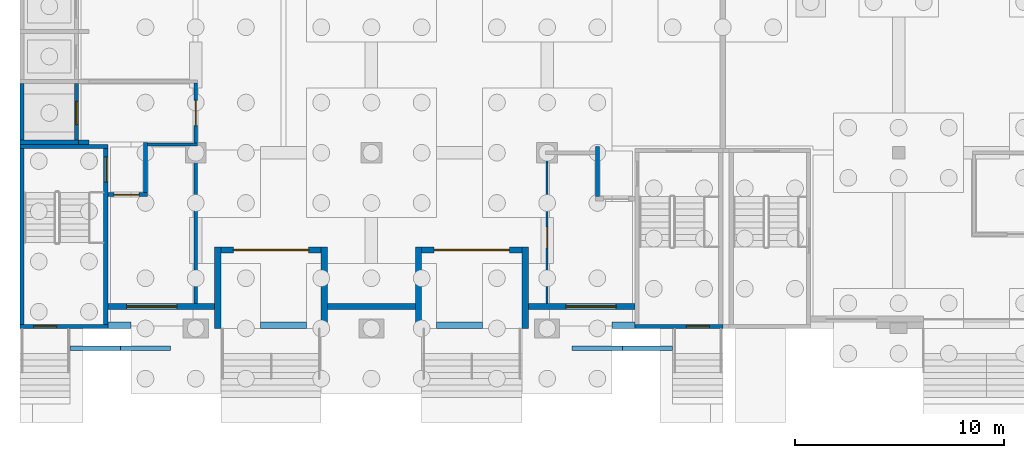
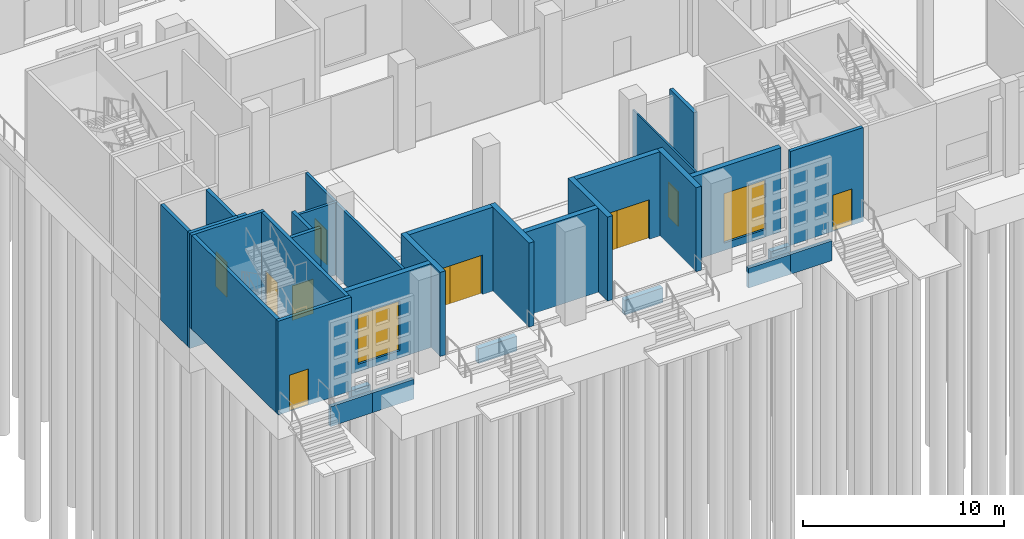
# One storey, part 42 of 129: 33 walls, 11 doors, 2 windows, 13 openings.
"""IFC4 building model written with IfcOpenShell, lengths in metres."""

from ifc_helpers import new_model, si_unit, direction, frame, frame_2d, origin, place, context, subcontext, project, spatial, rectangle, extrude, material, layer, layer_set, type_object, element, fill, save


model = new_model("IFC4")

# Units and contexts
model_context = context("Model", 3, precision=1e-05, world=origin(), true_north=direction((0.0, 1.0)))
body_context = subcontext(model_context, "Body", "Model", "MODEL_VIEW")
ifc_project = project(units=[si_unit("LENGTHUNIT", "METRE"), si_unit("AREAUNIT", "SQUARE_METRE"), si_unit("VOLUMEUNIT", "CUBIC_METRE"), si_unit("PLANEANGLEUNIT", "RADIAN"), si_unit("MASSUNIT", "GRAM", prefix="KILO")], contexts=[model_context])

# Site, building, storey
site_placement = place(None, origin())
site = spatial("IfcSite", under=ifc_project, at=site_placement, CompositionType="ELEMENT")
building_placement = place(site_placement, origin())
building = spatial("IfcBuilding", under=site, at=building_placement, Name="Kiln Court Media Centre", CompositionType="ELEMENT")
storey_placement = place(building_placement, origin())
storey = spatial("IfcBuildingStorey", under=building, at=storey_placement, Name="L00", CompositionType="ELEMENT", Elevation=0.0)

# Wall
ifc_material_1 = material(Name="Concrete block masonry M7.5", Category="masonry")
ifc_layer_1 = layer(ifc_material_1, 0.14990234375)
ifc_layer_set_1 = layer_set([ifc_layer_1], Name="Block lobby wall 150 EI 120")
wall_type_1 = type_object("IfcWallType", Name="Block lobby wall 150 EI 120", PredefinedType="SOLIDWALL", material=ifc_layer_set_1)
wall_1_placement = place(storey_placement, frame((6.10009765625, 8.800048828125, 0.0), z_axis=(0.0, 0.0, 1.0), x_axis=(1.0, 0.0, 0.0)))
element("IfcWall", 1, at=wall_1_placement, inside=storey, type_object=wall_type_1, Name="L00 block lobby wall", PredefinedType="SOLIDWALL", context=body_context, shape_type="SweptSolid", body=[
    extrude(rectangle(XDim=2.375, YDim=0.14990234375, at=frame_2d((1.1875, 0.0))), origin(), (0.0, 0.0, 1.0), 4.39990234375),
])

# Wall, opening, door
wall_2_placement = place(storey_placement, frame((8.39990234375, 8.875, 0.0), z_axis=(0.0, 0.0, 1.0), x_axis=(0.0, 1.0, 0.0)))
wall_2 = element("IfcWall", 2, at=wall_2_placement, inside=storey, type_object=wall_type_1, Name="L00 block lobby wall", PredefinedType="SOLIDWALL", context=body_context, shape_type="SweptSolid", body=[
    extrude(rectangle(XDim=2.85009765625, YDim=0.14990234375, at=frame_2d((1.425048828125, 0.0))), origin(), (0.0, 0.0, 1.0), 4.39990234375),
])
opening_1_placement = place(wall_2_placement, frame((0.824951171875, 0.0, 0.0)))
opening_1 = element("IfcOpeningElement", 3, at=opening_1_placement, cuts=wall_2, Name="Opening D0073", PredefinedType="OPENING", context=body_context, shape_type="SweptSolid", body=[
    extrude(rectangle(XDim=1.199951171875, YDim=2.10009765625, at=frame_2d((0.60009765625, 1.050048828125))), frame((0.0, 0.0849609375, 0.0), z_axis=(0.0, -1.0, 0.0), x_axis=(1.0, 0.0, 0.0)), (0.0, 0.0, 1.0), 0.169921875),
])
ifc_material_2 = material(Name="Steel S275", Category="steel")
door_type_1 = type_object("IfcDoorType", Name="Steel lobby door 1200 x 2100 FD120", OperationType="SINGLE_SWING_LEFT", PredefinedType="DOOR", material=ifc_material_2)
door_1_placement = place(opening_1_placement, origin())
door_1 = element("IfcDoor", 4, at=door_1_placement, inside=storey, type_object=door_type_1, Name="Library Reception / Fire-fighting Lift Lobby", OperationType="SINGLE_SWING_RIGHT", OverallHeight=2.10009765625, OverallWidth=1.199951171875, PredefinedType="DOOR", context=body_context, shape_type="SweptSolid", body=[
    extrude(rectangle(XDim=1.199951171875, YDim=2.10009765625, at=frame_2d((0.60009765625, 1.050048828125))), frame((0.0, 0.02490234375, 0.0), z_axis=(0.0, -1.0, 0.0), x_axis=(1.0, 0.0, 0.0)), (0.0, 0.0, 1.0), 0.050048828125),
])
fill(opening_1, door_1)

ifc_material_3 = material(Name="Concrete block masonry M10", Category="masonry")
ifc_layer_2 = layer(ifc_material_3, 0.199951171875)
ifc_layer_set_2 = layer_set([ifc_layer_2], Name="Block vestibule wall 200 EI 240")
wall_type_2 = type_object("IfcWallType", Name="Block vestibule wall 200 EI 240", PredefinedType="SOLIDWALL", material=ifc_layer_set_2)
wall_3_placement = place(storey_placement, frame((4.2001953125, 6.39990234375, 0.0), z_axis=(0.0, 0.0, 1.0), x_axis=(1.0, 0.0, 0.0)))
wall_3 = element("IfcWall", 5, at=wall_3_placement, inside=storey, type_object=wall_type_2, Name="L00 block vestibule wall", PredefinedType="SOLIDWALL", context=body_context, shape_type="SweptSolid", body=[
    extrude(rectangle(XDim=1.89990234375, YDim=0.199951171875, at=frame_2d((0.949951171875, 0.0))), origin(), (0.0, 0.0, 1.0), 5.10009765625),
])
opening_2_placement = place(wall_3_placement, frame((0.2998046875, 0.0, 0.0)))
opening_2 = element("IfcOpeningElement", 6, at=opening_2_placement, cuts=wall_3, Name="Opening D0046", PredefinedType="OPENING", context=body_context, shape_type="SweptSolid", body=[
    extrude(rectangle(XDim=1.199951171875, YDim=2.10009765625, at=frame_2d((0.60009765625, 1.050048828125))), frame((0.0, 0.10986328125, 0.0), z_axis=(0.0, -1.0, 0.0), x_axis=(1.0, 0.0, 0.0)), (0.0, 0.0, 1.0), 0.219970703125),
])
ifc_material_4 = material(Name="Steel S275", Category="steel")
door_type_2 = type_object("IfcDoorType", Name="Steel vestibule door 1200 x 2100 FD180", OperationType="SINGLE_SWING_LEFT", PredefinedType="DOOR", material=ifc_material_4)
door_2_placement = place(opening_2_placement, origin())
door_2 = element("IfcDoor", 7, at=door_2_placement, inside=storey, type_object=door_type_2, Name="Toilets and Accessible WC / Stair 1 Vestibule", OperationType="SINGLE_SWING_LEFT", OverallHeight=2.10009765625, OverallWidth=1.199951171875, PredefinedType="DOOR", context=body_context, shape_type="SweptSolid", body=[
    extrude(rectangle(XDim=1.199951171875, YDim=2.10009765625, at=frame_2d((0.60009765625, 1.050048828125))), frame((0.0, 0.02490234375, 0.0), z_axis=(0.0, -1.0, 0.0), x_axis=(1.0, 0.0, 0.0)), (0.0, 0.0, 1.0), 0.050048828125),
])
fill(opening_2, door_2)

# Walls
for number, where, z_axis, x_axis, name in (
    (8, (6.0, 6.5, 0.0), (0.0, 0.0, 1.0), (0.0, 1.0, 0.0), "L00 block vestibule wall"),
    (9, (27.60009765625, 6.300048828125, 0.0), (0.0, 0.0, 1.0), (0.0, 1.0, 0.0), "L00 block vestibule wall"),
):
    element("IfcWall", number, at=place(storey_placement, frame(where, z_axis=z_axis, x_axis=x_axis)), inside=storey, type_object=wall_type_2, Name=name, PredefinedType="SOLIDWALL", context=body_context, shape_type="SweptSolid", body=[
        extrude(rectangle(XDim=2.39990234375, YDim=0.199951171875, at=frame_2d((1.199951171875, 0.0))), origin(), (0.0, 0.0, 1.0), 4.60009765625),
    ])

# Wall, opening, window
ifc_material_5 = material(Name="Brick masonry facing leaf with RC backing", Category="masonry")
ifc_layer_3 = layer(ifc_material_5, 0.300048828125)
ifc_layer_set_3 = layer_set([ifc_layer_3], Name="Brick masonry cavity wall 300")
wall_type_3 = type_object("IfcWallType", Name="Brick masonry cavity wall 300", PredefinedType="SOLIDWALL", material=ifc_layer_set_3)
wall_4_placement = place(storey_placement, frame((9.300048828125, 1.050048828125, 0.0), z_axis=(0.0, 0.0, 1.0), x_axis=(-1.0, 0.0, 0.0)))
wall_4 = element("IfcWall", 10, at=wall_4_placement, inside=storey, type_object=wall_type_3, Name="V6A-S ground facade", PredefinedType="SOLIDWALL", context=body_context, shape_type="SweptSolid", body=[
    extrude(rectangle(XDim=5.10009765625, YDim=0.300048828125, at=frame_2d((2.550048828125, 0.0))), origin(), (0.0, 0.0, 1.0), 5.10009765625),
])
opening_3_placement = place(wall_4_placement, frame((1.800048828125, 0.0, 0.449951171875)))
opening_3 = element("IfcOpeningElement", 11, at=opening_3_placement, cuts=wall_4, Name="Opening WN0005", PredefinedType="OPENING", context=body_context, shape_type="SweptSolid", body=[
    extrude(rectangle(XDim=2.39990234375, YDim=3.0, at=frame_2d((1.199951171875, 1.5))), frame((0.0, 0.159912109375, 0.0), z_axis=(0.0, -1.0, 0.0), x_axis=(1.0, 0.0, 0.0)), (0.0, 0.0, 1.0), 0.320068359375),
])
ifc_material_6 = material(Name="Aluminium 6063-T6", Category="aluminium")
window_type = type_object("IfcWindowType", Name="Aluminium shopfront window 2400x3000", PartitioningType="TRIPLE_PANEL_VERTICAL", PredefinedType="WINDOW", material=ifc_material_6)
window_1_placement = place(opening_3_placement, origin())
window_1 = element("IfcWindow", 12, at=window_1_placement, inside=storey, type_object=window_type, Name="WF window WN0005", OverallHeight=3.0, OverallWidth=2.39990234375, PartitioningType="SINGLE_PANEL", PredefinedType="WINDOW", context=body_context, shape_type="SweptSolid", body=[
    extrude(rectangle(XDim=2.39990234375, YDim=3.0, at=frame_2d((1.199951171875, 1.5))), frame((0.0, 0.030029296875, 0.0), z_axis=(0.0, -1.0, 0.0), x_axis=(1.0, 0.0, 0.0)), (0.0, 0.0, 1.0), 0.06005859375),
])
fill(opening_3, window_1)

# Wall
wall_5_placement = place(storey_placement, frame((18.89990234375, 1.050048828125, 0.0), z_axis=(0.0, 0.0, 1.0), x_axis=(-1.0, 0.0, 0.0)))
element("IfcWall", 13, at=wall_5_placement, inside=storey, type_object=wall_type_3, Name="V6A-S ground facade", PredefinedType="SOLIDWALL", context=body_context, shape_type="SweptSolid", body=[
    extrude(rectangle(XDim=4.199951171875, YDim=0.300048828125, at=frame_2d((2.10009765625, 0.0))), origin(), (0.0, 0.0, 1.0), 5.10009765625),
])

# Wall, opening, window
wall_6_placement = place(storey_placement, frame((29.39990234375, 1.050048828125, 0.0), z_axis=(0.0, 0.0, 1.0), x_axis=(-1.0, 0.0, 0.0)))
wall_6 = element("IfcWall", 14, at=wall_6_placement, inside=storey, type_object=wall_type_3, Name="V6A-S ground facade", PredefinedType="SOLIDWALL", context=body_context, shape_type="SweptSolid", body=[
    extrude(rectangle(XDim=5.099853515625, YDim=0.300048828125, at=frame_2d((2.5498046875, 0.0))), origin(), (0.0, 0.0, 1.0), 5.10009765625),
])
opening_4_placement = place(wall_6_placement, frame((0.89990234375, 0.0, 0.449951171875)))
opening_4 = element("IfcOpeningElement", 15, at=opening_4_placement, cuts=wall_6, Name="Opening WN0006", PredefinedType="OPENING", context=body_context, shape_type="SweptSolid", body=[
    extrude(rectangle(XDim=2.39990234375, YDim=3.0, at=frame_2d((1.199951171875, 1.5))), frame((0.0, 0.159912109375, 0.0), z_axis=(0.0, -1.0, 0.0), x_axis=(1.0, 0.0, 0.0)), (0.0, 0.0, 1.0), 0.320068359375),
])
window_2_placement = place(opening_4_placement, origin())
window_2 = element("IfcWindow", 16, at=window_2_placement, inside=storey, type_object=window_type, Name="WF window WN0006", OverallHeight=3.0, OverallWidth=2.39990234375, PartitioningType="SINGLE_PANEL", PredefinedType="WINDOW", context=body_context, shape_type="SweptSolid", body=[
    extrude(rectangle(XDim=2.39990234375, YDim=3.0, at=frame_2d((1.199951171875, 1.5))), frame((0.0, 0.030029296875, 0.0), z_axis=(0.0, -1.0, 0.0), x_axis=(1.0, 0.0, 0.0)), (0.0, 0.0, 1.0), 0.06005859375),
])
fill(opening_4, window_2)

# Walls
ifc_material_7 = material(Name="Brick masonry facing leaf with RC backing", Category="masonry")
ifc_layer_4 = layer(ifc_material_7, 0.215087890625)
ifc_layer_set_4 = layer_set([ifc_layer_4], Name="Brick masonry screen plinth wall 215")
wall_type_4 = type_object("IfcWallType", Name="Brick masonry screen plinth wall 215", PredefinedType="SOLIDWALL", material=ifc_layer_set_4)
wall_7_placement = place(storey_placement, frame((2.39990234375, -0.9423828125, -1.199951171875), z_axis=(0.0, 0.0, 1.0), x_axis=(1.0, 0.0, 0.0)))
element("IfcWall", 17, at=wall_7_placement, inside=storey, type_object=wall_type_4, Name="SCREEN plinth wall SCR-S-02", PredefinedType="SOLIDWALL", context=body_context, shape_type="SweptSolid", body=[
    extrude(rectangle(XDim=2.400146484375, YDim=0.215087890625, at=frame_2d((1.2001953125, 0.0))), origin(), (0.0, 0.0, 1.0), 1.199951171875),
])
wall_8_placement = place(storey_placement, frame((4.800048828125, -0.9423828125, -1.199951171875), z_axis=(0.0, 0.0, 1.0), x_axis=(1.0, 0.0, 0.0)))
element("IfcWall", 18, at=wall_8_placement, inside=storey, type_object=wall_type_4, Name="SCREEN plinth wall SCR-S-03", PredefinedType="SOLIDWALL", context=body_context, shape_type="SweptSolid", body=[
    extrude(rectangle(XDim=2.39990234375, YDim=0.215087890625, at=frame_2d((1.199951171875, 0.0))), origin(), (0.0, 0.0, 1.0), 1.199951171875),
])
wall_9_placement = place(storey_placement, frame((26.39990234375, -0.9423828125, -1.199951171875), z_axis=(0.0, 0.0, 1.0), x_axis=(1.0, 0.0, 0.0)))
element("IfcWall", 19, at=wall_9_placement, inside=storey, type_object=wall_type_4, Name="SCREEN plinth wall SCR-S-12", PredefinedType="SOLIDWALL", context=body_context, shape_type="SweptSolid", body=[
    extrude(rectangle(XDim=2.400146484375, YDim=0.215087890625, at=frame_2d((1.2001953125, 0.0))), origin(), (0.0, 0.0, 1.0), 1.199951171875),
])
wall_10_placement = place(storey_placement, frame((28.800048828125, -0.9423828125, -1.199951171875), z_axis=(0.0, 0.0, 1.0), x_axis=(1.0, 0.0, 0.0)))
element("IfcWall", 20, at=wall_10_placement, inside=storey, type_object=wall_type_4, Name="SCREEN plinth wall SCR-S-13", PredefinedType="SOLIDWALL", context=body_context, shape_type="SweptSolid", body=[
    extrude(rectangle(XDim=2.39990234375, YDim=0.215087890625, at=frame_2d((1.199951171875, 0.0))), origin(), (0.0, 0.0, 1.0), 1.199951171875),
])
ifc_material_8 = material(Name="Brick masonry facing leaf with RC backing", Category="masonry")
ifc_layer_5 = layer(ifc_material_8, 0.300048828125)
ifc_layer_set_5 = layer_set([ifc_layer_5], Name="Brick masonry wing wall 300")
wall_type_5 = type_object("IfcWallType", Name="Brick masonry wing wall 300", PredefinedType="SOLIDWALL", material=ifc_layer_set_5)
for number, where, z_axis, x_axis, name in (
    (21, (9.449951171875, 3.89990234375, 0.0), (0.0, 0.0, 1.0), (0.0, -1.0, 0.0), "V6A-S porch side wall"),
    (22, (14.550048828125, 3.89990234375, 0.0), (0.0, 0.0, 1.0), (0.0, -1.0, 0.0), "V6A-S porch side wall"),
):
    element("IfcWall", number, at=place(storey_placement, frame(where, z_axis=z_axis, x_axis=x_axis)), inside=storey, type_object=wall_type_5, Name=name, PredefinedType="SOLIDWALL", context=body_context, shape_type="SweptSolid", body=[
        extrude(rectangle(XDim=3.89990234375, YDim=0.300048828125, at=frame_2d((1.949951171875, 0.0))), origin(), (0.0, 0.0, 1.0), 5.10009765625),
    ])

# Wall, openings, doors
wall_11_placement = place(storey_placement, frame((14.39990234375, 3.75, 0.0), z_axis=(0.0, 0.0, 1.0), x_axis=(-1.0, 0.0, 0.0)))
wall_11 = element("IfcWall", 23, at=wall_11_placement, inside=storey, type_object=wall_type_5, Name="V6A-S porch back wall", PredefinedType="SOLIDWALL", context=body_context, shape_type="SweptSolid", body=[
    extrude(rectangle(XDim=4.7998046875, YDim=0.300048828125, at=frame_2d((2.39990234375, 0.0))), origin(), (0.0, 0.0, 1.0), 5.10009765625),
])
opening_5_placement = place(wall_11_placement, frame((2.39990234375, 0.0, 0.0)))
opening_5 = element("IfcOpeningElement", 24, at=opening_5_placement, cuts=wall_11, Name="Opening D0602", PredefinedType="OPENING", context=body_context, shape_type="SweptSolid", body=[
    extrude(rectangle(XDim=1.800048828125, YDim=2.39990234375, at=frame_2d((0.89990234375, 1.199951171875))), frame((0.0, 0.159912109375, 0.0), z_axis=(0.0, -1.0, 0.0), x_axis=(1.0, 0.0, 0.0)), (0.0, 0.0, 1.0), 0.320068359375),
])
opening_6_placement = place(wall_11_placement, frame((0.60009765625, 0.0, 0.0)))
opening_6 = element("IfcOpeningElement", 25, at=opening_6_placement, cuts=wall_11, Name="Opening D0603", PredefinedType="OPENING", context=body_context, shape_type="SweptSolid", body=[
    extrude(rectangle(XDim=1.800048828125, YDim=2.39990234375, at=frame_2d((0.89990234375, 1.199951171875))), frame((0.0, 0.159912109375, 0.0), z_axis=(0.0, -1.0, 0.0), x_axis=(1.0, 0.0, 0.0)), (0.0, 0.0, 1.0), 0.320068359375),
])
ifc_material_9 = material(Name="Aluminium 6063-T6", Category="aluminium")
door_type_3 = type_object("IfcDoorType", Name="Aluminium glazed entrance door 1800x2400", OperationType="DOUBLE_DOOR_DOUBLE_SWING", PredefinedType="DOOR", material=ifc_material_9)
door_3_placement = place(opening_5_placement, origin())
door_3 = element("IfcDoor", 26, at=door_3_placement, inside=storey, type_object=door_type_3, Name="DA door D0602", OperationType="SINGLE_SWING_LEFT", OverallHeight=2.39990234375, OverallWidth=1.800048828125, PredefinedType="DOOR", context=body_context, shape_type="SweptSolid", body=[
    extrude(rectangle(XDim=1.800048828125, YDim=2.39990234375, at=frame_2d((0.89990234375, 1.199951171875))), frame((0.0, 0.02490234375, 0.0), z_axis=(0.0, -1.0, 0.0), x_axis=(1.0, 0.0, 0.0)), (0.0, 0.0, 1.0), 0.050048828125),
])
fill(opening_5, door_3)
door_4_placement = place(opening_6_placement, origin())
door_4 = element("IfcDoor", 27, at=door_4_placement, inside=storey, type_object=door_type_3, Name="DA door D0603", OperationType="SINGLE_SWING_LEFT", OverallHeight=2.39990234375, OverallWidth=1.800048828125, PredefinedType="DOOR", context=body_context, shape_type="SweptSolid", body=[
    extrude(rectangle(XDim=1.800048828125, YDim=2.39990234375, at=frame_2d((0.89990234375, 1.199951171875))), frame((0.0, 0.02490234375, 0.0), z_axis=(0.0, -1.0, 0.0), x_axis=(1.0, 0.0, 0.0)), (0.0, 0.0, 1.0), 0.050048828125),
])
fill(opening_6, door_4)

# Walls
for number, where, z_axis, x_axis, name in (
    (28, (19.050048828125, 3.89990234375, 0.0), (0.0, 0.0, 1.0), (0.0, -1.0, 0.0), "V6A-S porch side wall"),
    (29, (24.14990234375, 3.89990234375, 0.0), (0.0, 0.0, 1.0), (0.0, -1.0, 0.0), "V6A-S porch side wall"),
):
    element("IfcWall", number, at=place(storey_placement, frame(where, z_axis=z_axis, x_axis=x_axis)), inside=storey, type_object=wall_type_5, Name=name, PredefinedType="SOLIDWALL", context=body_context, shape_type="SweptSolid", body=[
        extrude(rectangle(XDim=3.89990234375, YDim=0.300048828125, at=frame_2d((1.949951171875, 0.0))), origin(), (0.0, 0.0, 1.0), 5.10009765625),
    ])

# Wall, openings, doors
wall_12_placement = place(storey_placement, frame((24.0, 3.75, 0.0), z_axis=(0.0, 0.0, 1.0), x_axis=(-1.0, 0.0, 0.0)))
wall_12 = element("IfcWall", 30, at=wall_12_placement, inside=storey, type_object=wall_type_5, Name="V6A-S porch back wall", PredefinedType="SOLIDWALL", context=body_context, shape_type="SweptSolid", body=[
    extrude(rectangle(XDim=4.800048828125, YDim=0.300048828125, at=frame_2d((2.39990234375, 0.0))), origin(), (0.0, 0.0, 1.0), 5.10009765625),
])
opening_7_placement = place(wall_12_placement, frame((2.39990234375, 0.0, 0.0)))
opening_7 = element("IfcOpeningElement", 31, at=opening_7_placement, cuts=wall_12, Name="Opening D0604", PredefinedType="OPENING", context=body_context, shape_type="SweptSolid", body=[
    extrude(rectangle(XDim=1.800048828125, YDim=2.39990234375, at=frame_2d((0.89990234375, 1.199951171875))), frame((0.0, 0.159912109375, 0.0), z_axis=(0.0, -1.0, 0.0), x_axis=(1.0, 0.0, 0.0)), (0.0, 0.0, 1.0), 0.320068359375),
])
opening_8_placement = place(wall_12_placement, frame((0.60009765625, 0.0, 0.0)))
opening_8 = element("IfcOpeningElement", 32, at=opening_8_placement, cuts=wall_12, Name="Opening D0605", PredefinedType="OPENING", context=body_context, shape_type="SweptSolid", body=[
    extrude(rectangle(XDim=1.800048828125, YDim=2.39990234375, at=frame_2d((0.89990234375, 1.199951171875))), frame((0.0, 0.159912109375, 0.0), z_axis=(0.0, -1.0, 0.0), x_axis=(1.0, 0.0, 0.0)), (0.0, 0.0, 1.0), 0.320068359375),
])
door_5_placement = place(opening_7_placement, origin())
door_5 = element("IfcDoor", 33, at=door_5_placement, inside=storey, type_object=door_type_3, Name="DA door D0604", OperationType="SINGLE_SWING_LEFT", OverallHeight=2.39990234375, OverallWidth=1.800048828125, PredefinedType="DOOR", context=body_context, shape_type="SweptSolid", body=[
    extrude(rectangle(XDim=1.800048828125, YDim=2.39990234375, at=frame_2d((0.89990234375, 1.199951171875))), frame((0.0, 0.02490234375, 0.0), z_axis=(0.0, -1.0, 0.0), x_axis=(1.0, 0.0, 0.0)), (0.0, 0.0, 1.0), 0.050048828125),
])
fill(opening_7, door_5)
door_6_placement = place(opening_8_placement, origin())
door_6 = element("IfcDoor", 34, at=door_6_placement, inside=storey, type_object=door_type_3, Name="DA door D0605", OperationType="SINGLE_SWING_LEFT", OverallHeight=2.39990234375, OverallWidth=1.800048828125, PredefinedType="DOOR", context=body_context, shape_type="SweptSolid", body=[
    extrude(rectangle(XDim=1.800048828125, YDim=2.39990234375, at=frame_2d((0.89990234375, 1.199951171875))), frame((0.0, 0.02490234375, 0.0), z_axis=(0.0, -1.0, 0.0), x_axis=(1.0, 0.0, 0.0)), (0.0, 0.0, 1.0), 0.050048828125),
])
fill(opening_8, door_6)

# Walls
ifc_material_10 = material(Name="Concrete C30/37", Category="concrete")
ifc_layer_6 = layer(ifc_material_10, 0.300048828125)
ifc_layer_set_6 = layer_set([ifc_layer_6], Name="Concrete C30/37 plinth wall 300")
wall_type_6 = type_object("IfcWallType", Name="Concrete C30/37 plinth wall 300", PredefinedType="SOLIDWALL", material=ifc_layer_set_6)
wall_13_placement = place(storey_placement, frame((5.300048828125, 0.14990234375, -1.199951171875), z_axis=(0.0, 0.0, 1.0), x_axis=(-1.0, 0.0, 0.0)))
element("IfcWall", 35, at=wall_13_placement, inside=storey, type_object=wall_type_6, Name="L00-W-1165", PredefinedType="SOLIDWALL", context=body_context, shape_type="SweptSolid", body=[
    extrude(rectangle(XDim=1.10009765625, YDim=0.300048828125, at=frame_2d((0.550048828125, 0.0))), origin(), (0.0, 0.0, 1.0), 0.89990234375),
])
wall_14_placement = place(storey_placement, frame((13.699951171875, 0.14990234375, -1.199951171875), z_axis=(0.0, 0.0, 1.0), x_axis=(-1.0, 0.0, 0.0)))
element("IfcWall", 36, at=wall_14_placement, inside=storey, type_object=wall_type_6, Name="L00-W-1166", PredefinedType="SOLIDWALL", context=body_context, shape_type="SweptSolid", body=[
    extrude(rectangle(XDim=2.199951171875, YDim=0.300048828125, at=frame_2d((1.10009765625, 0.0))), origin(), (0.0, 0.0, 1.0), 0.89990234375),
])
wall_15_placement = place(storey_placement, frame((22.10009765625, 0.14990234375, -1.199951171875), z_axis=(0.0, 0.0, 1.0), x_axis=(-1.0, 0.0, 0.0)))
element("IfcWall", 37, at=wall_15_placement, inside=storey, type_object=wall_type_6, Name="L00-W-1167", PredefinedType="SOLIDWALL", context=body_context, shape_type="SweptSolid", body=[
    extrude(rectangle(XDim=2.2001953125, YDim=0.300048828125, at=frame_2d((1.10009765625, 0.0))), origin(), (0.0, 0.0, 1.0), 0.89990234375),
])
wall_16_placement = place(storey_placement, frame((29.39990234375, 0.14990234375, -1.199951171875), z_axis=(0.0, 0.0, 1.0), x_axis=(-1.0, 0.0, 0.0)))
element("IfcWall", 38, at=wall_16_placement, inside=storey, type_object=wall_type_6, Name="L00-W-1168", PredefinedType="SOLIDWALL", context=body_context, shape_type="SweptSolid", body=[
    extrude(rectangle(XDim=1.099853515625, YDim=0.300048828125, at=frame_2d((0.5498046875, 0.0))), origin(), (0.0, 0.0, 1.0), 0.89990234375),
])

# Wall, opening, door
ifc_material_11 = material(Name="Concrete C40/50", Category="concrete")
ifc_layer_7 = layer(ifc_material_11, 0.199951171875)
ifc_layer_set_7 = layer_set([ifc_layer_7], Name="Concrete C40/50 shear wall 200")
wall_type_7 = type_object("IfcWallType", Name="Concrete C40/50 shear wall 200", PredefinedType="SHEAR", material=ifc_layer_set_7)
wall_17_placement = place(storey_placement, frame((4.199951171875, 0.10009765625, -0.300048828125), z_axis=(0.0, 0.0, 1.0), x_axis=(-1.0, 0.0, 0.0)))
wall_17 = element("IfcWall", 39, at=wall_17_placement, inside=storey, type_object=wall_type_7, Name="L00-W-1000", PredefinedType="SHEAR", context=body_context, shape_type="SweptSolid", body=[
    extrude(rectangle(XDim=4.199462890625, YDim=0.199951171875, at=frame_2d((2.099609375, 0.0))), origin(), (0.0, 0.0, 1.0), 5.699951171875),
])
opening_9_placement = place(wall_17_placement, frame((2.449951171875, 0.0, 0.0)))
opening_9 = element("IfcOpeningElement", 40, at=opening_9_placement, cuts=wall_17, Name="Opening D0606", PredefinedType="OPENING", context=body_context, shape_type="SweptSolid", body=[
    extrude(rectangle(XDim=1.10009765625, YDim=2.199951171875, at=frame_2d((0.550048828125, 1.10009765625))), frame((0.0, 0.10986328125, 0.0), z_axis=(0.0, -1.0, 0.0), x_axis=(1.0, 0.0, 0.0)), (0.0, 0.0, 1.0), 0.219970703125),
])
ifc_material_12 = material(Name="Steel ASTM A572 Gr 50", Category="steel")
door_type_4 = type_object("IfcDoorType", Name="Steel fire exit door 1100x2200", OperationType="SINGLE_SWING_LEFT", PredefinedType="DOOR", material=ifc_material_12)
door_7_placement = place(opening_9_placement, origin())
door_7 = element("IfcDoor", 41, at=door_7_placement, inside=storey, type_object=door_type_4, Name="DB door D0606", OperationType="SINGLE_SWING_LEFT", OverallHeight=2.199951171875, OverallWidth=1.10009765625, PredefinedType="DOOR", context=body_context, shape_type="SweptSolid", body=[
    extrude(rectangle(XDim=1.10009765625, YDim=2.199951171875, at=frame_2d((0.550048828125, 1.10009765625))), frame((0.0, 0.02490234375, 0.0), z_axis=(0.0, -1.0, 0.0), x_axis=(1.0, 0.0, 0.0)), (0.0, 0.0, 1.0), 0.050048828125),
])
fill(opening_9, door_7)

# Walls
wall_18_placement = place(storey_placement, frame((0.00048828125, 8.699951171875, -0.300048828125), z_axis=(0.0, 0.0, 1.0), x_axis=(1.0, 0.0, 0.0)))
element("IfcWall", 42, at=wall_18_placement, inside=storey, type_object=wall_type_7, Name="L00-W-1001", PredefinedType="SHEAR", context=body_context, shape_type="SweptSolid", body=[
    extrude(rectangle(XDim=4.199462890625, YDim=0.199951171875, at=frame_2d((2.099609375, 0.0))), origin(), (0.0, 0.0, 1.0), 5.699951171875),
])
wall_19_placement = place(storey_placement, frame((0.100341796875, 0.199951171875, -0.300048828125), z_axis=(0.0, 0.0, 1.0), x_axis=(0.0, 1.0, 0.0)))
element("IfcWall", 43, at=wall_19_placement, inside=storey, type_object=wall_type_7, Name="L00-W-1002", PredefinedType="SHEAR", context=body_context, shape_type="SweptSolid", body=[
    extrude(rectangle(XDim=8.400146484375, YDim=0.199951171875, at=frame_2d((4.2001953125, 0.0))), origin(), (0.0, 0.0, 1.0), 5.699951171875),
])

# Wall, opening, door
wall_20_placement = place(storey_placement, frame((4.10009765625, 8.60009765625, -0.300048828125), z_axis=(0.0, 0.0, 1.0), x_axis=(0.0, -1.0, 0.0)))
wall_20 = element("IfcWall", 44, at=wall_20_placement, inside=storey, type_object=wall_type_7, Name="L00-W-1003", PredefinedType="SHEAR", context=body_context, shape_type="SweptSolid", body=[
    extrude(rectangle(XDim=8.400146484375, YDim=0.199951171875, at=frame_2d((4.2001953125, 0.0))), origin(), (0.0, 0.0, 1.0), 5.699951171875),
])
opening_10_placement = place(wall_20_placement, frame((0.400146484375, 0.0, 0.300048828125)))
opening_10 = element("IfcOpeningElement", 45, at=opening_10_placement, cuts=wall_20, Name="Opening D0015", PredefinedType="OPENING", context=body_context, shape_type="SweptSolid", body=[
    extrude(rectangle(XDim=1.199951171875, YDim=2.10009765625, at=frame_2d((0.60009765625, 1.050048828125))), frame((0.0, 0.10986328125, 0.0), z_axis=(0.0, -1.0, 0.0), x_axis=(1.0, 0.0, 0.0)), (0.0, 0.0, 1.0), 0.219970703125),
])
ifc_material_13 = material(Name="Steel S275", Category="steel")
door_type_5 = type_object("IfcDoorType", Name="Steel stair door 1200 x 2100 FD180", OperationType="SINGLE_SWING_LEFT", PredefinedType="DOOR", material=ifc_material_13)
door_8_placement = place(opening_10_placement, origin())
door_8 = element("IfcDoor", 46, at=door_8_placement, inside=storey, type_object=door_type_5, Name="Stair 1 / Stair 1 Vestibule", OperationType="SINGLE_SWING_RIGHT", OverallHeight=2.10009765625, OverallWidth=1.199951171875, PredefinedType="DOOR", context=body_context, shape_type="SweptSolid", body=[
    extrude(rectangle(XDim=1.199951171875, YDim=2.10009765625, at=frame_2d((0.60009765625, 1.050048828125))), frame((0.0, 0.02490234375, 0.0), z_axis=(0.0, -1.0, 0.0), x_axis=(1.0, 0.0, 0.0)), (0.0, 0.0, 1.0), 0.050048828125),
])
fill(opening_10, door_8)

wall_21_placement = place(storey_placement, frame((33.60009765625, 0.10009765625, -0.300048828125), z_axis=(0.0, 0.0, 1.0), x_axis=(-1.0, 0.0, 0.0)))
wall_21 = element("IfcWall", 47, at=wall_21_placement, inside=storey, type_object=wall_type_7, Name="L00-W-1008", PredefinedType="SHEAR", context=body_context, shape_type="SweptSolid", body=[
    extrude(rectangle(XDim=4.2001953125, YDim=0.199951171875, at=frame_2d((2.10009765625, 0.0))), origin(), (0.0, 0.0, 1.0), 5.699951171875),
])
opening_11_placement = place(wall_21_placement, frame((0.650146484375, 0.0, 0.0)))
opening_11 = element("IfcOpeningElement", 48, at=opening_11_placement, cuts=wall_21, Name="Opening D0607", PredefinedType="OPENING", context=body_context, shape_type="SweptSolid", body=[
    extrude(rectangle(XDim=1.10009765625, YDim=2.199951171875, at=frame_2d((0.550048828125, 1.10009765625))), frame((0.0, 0.10986328125, 0.0), z_axis=(0.0, -1.0, 0.0), x_axis=(1.0, 0.0, 0.0)), (0.0, 0.0, 1.0), 0.219970703125),
])
door_9_placement = place(opening_11_placement, origin())
door_9 = element("IfcDoor", 49, at=door_9_placement, inside=storey, type_object=door_type_4, Name="DB door D0607", OperationType="SINGLE_SWING_LEFT", OverallHeight=2.199951171875, OverallWidth=1.10009765625, PredefinedType="DOOR", context=body_context, shape_type="SweptSolid", body=[
    extrude(rectangle(XDim=1.10009765625, YDim=2.199951171875, at=frame_2d((0.550048828125, 1.10009765625))), frame((0.0, 0.02490234375, 0.0), z_axis=(0.0, -1.0, 0.0), x_axis=(1.0, 0.0, 0.0)), (0.0, 0.0, 1.0), 0.050048828125),
])
fill(opening_11, door_9)

# Walls
wall_22_placement = place(storey_placement, frame((2.800048828125, 8.89990234375, -1.60009765625), z_axis=(0.0, 0.0, 1.0), x_axis=(-1.0, 0.0, 0.0)))
element("IfcWall", 50, at=wall_22_placement, inside=storey, type_object=wall_type_7, Name="L00-W-1068", PredefinedType="SHEAR", context=body_context, shape_type="SweptSolid", body=[
    extrude(rectangle(XDim=2.799560546875, YDim=0.199951171875, at=frame_2d((1.39990234375, 0.0))), origin(), (0.0, 0.0, 1.0), 7.0),
])
wall_23_placement = place(storey_placement, frame((0.100341796875, 9.0, -1.60009765625), z_axis=(0.0, 0.0, 1.0), x_axis=(0.0, 1.0, 0.0)))
element("IfcWall", 51, at=wall_23_placement, inside=storey, type_object=wall_type_7, Name="L00-W-1070", PredefinedType="SHEAR", context=body_context, shape_type="SweptSolid", body=[
    extrude(rectangle(XDim=2.699951171875, YDim=0.199951171875, at=frame_2d((1.35009765625, 0.0))), origin(), (0.0, 0.0, 1.0), 7.0),
])

# Wall, opening, door
wall_24_placement = place(storey_placement, frame((2.699951171875, 11.699951171875, -1.60009765625), z_axis=(0.0, 0.0, 1.0), x_axis=(0.0, -1.0, 0.0)))
wall_24 = element("IfcWall", 52, at=wall_24_placement, inside=storey, type_object=wall_type_7, Name="L00-W-1071", PredefinedType="SHEAR", context=body_context, shape_type="SweptSolid", body=[
    extrude(rectangle(XDim=2.699951171875, YDim=0.199951171875, at=frame_2d((1.35009765625, 0.0))), origin(), (0.0, 0.0, 1.0), 7.0),
])
opening_12_placement = place(wall_24_placement, frame((0.85009765625, 0.0, 1.60009765625)))
opening_12 = element("IfcOpeningElement", 53, at=opening_12_placement, cuts=wall_24, Name="Opening LD001", PredefinedType="OPENING", context=body_context, shape_type="SweptSolid", body=[
    extrude(rectangle(XDim=1.10009765625, YDim=2.10009765625, at=frame_2d((0.550048828125, 1.050048828125))), frame((0.0, 0.10986328125, 0.0), z_axis=(0.0, -1.0, 0.0), x_axis=(1.0, 0.0, 0.0)), (0.0, 0.0, 1.0), 0.219970703125),
])
ifc_material_14 = material(Name="Stainless steel", Category="steel")
door_type_6 = type_object("IfcDoorType", Name="Firefighting lift landing door 1100 x 2100 FD120", OperationType="SLIDING_TO_LEFT", PredefinedType="DOOR", material=ifc_material_14)
door_10_placement = place(opening_12_placement, origin())
door_10 = element("IfcDoor", 54, at=door_10_placement, inside=storey, type_object=door_type_6, Name="LF-01 landing door L00", OperationType="SLIDING_TO_LEFT", OverallHeight=2.10009765625, OverallWidth=1.10009765625, PredefinedType="DOOR", context=body_context, shape_type="SweptSolid", body=[
    extrude(rectangle(XDim=1.10009765625, YDim=2.10009765625, at=frame_2d((0.550048828125, 1.050048828125))), frame((0.0, 0.02490234375, 0.0), z_axis=(0.0, -1.0, 0.0), x_axis=(1.0, 0.0, 0.0)), (0.0, 0.0, 1.0), 0.050048828125),
])
fill(opening_12, door_10)

# Walls
wall_25_placement = place(storey_placement, frame((3.300048828125, 8.89990234375, -0.300048828125), z_axis=(0.0, 0.0, 1.0), x_axis=(-1.0, 0.0, 0.0)))
element("IfcWall", 55, at=wall_25_placement, inside=storey, type_object=wall_type_7, Name="L00-W-1156", PredefinedType="SHEAR", context=body_context, shape_type="SweptSolid", body=[
    extrude(rectangle(XDim=0.5, YDim=0.199951171875, at=frame_2d((0.25, 0.0))), origin(), (0.0, 0.0, 1.0), 5.699951171875),
])
ifc_material_15 = material(Name="Gypsum plasterboard", Category="gypsum")
ifc_layer_8 = layer(ifc_material_15, 0.14990234375)
ifc_layer_set_8 = layer_set([ifc_layer_8], Name="Gypsum corridor partition 150 EI 60")
wall_type_8 = type_object("IfcWallType", Name="Gypsum corridor partition 150 EI 60", PredefinedType="PARTITIONING", material=ifc_layer_set_8)
wall_26_placement = place(storey_placement, frame((8.39990234375, 1.199951171875, 0.0), z_axis=(0.0, 0.0, 1.0), x_axis=(0.0, 1.0, 0.0)))
element("IfcWall", 56, at=wall_26_placement, inside=storey, type_object=wall_type_8, Name="L00 gypsum corridor partition", PredefinedType="PARTITIONING", context=body_context, shape_type="SweptSolid", body=[
    extrude(rectangle(XDim=7.525146484375, YDim=0.14990234375, at=frame_2d((3.7626953125, 0.0))), origin(), (0.0, 0.0, 1.0), 4.39990234375),
])

# Wall, opening, door
ifc_material_16 = material(Name="Gypsum plasterboard", Category="gypsum")
ifc_layer_9 = layer(ifc_material_16, 0.10009765625)
ifc_layer_set_9 = layer_set([ifc_layer_9], Name="Gypsum stud partition 100")
wall_type_9 = type_object("IfcWallType", Name="Gypsum stud partition 100", PredefinedType="PARTITIONING", material=ifc_layer_set_9)
wall_27_placement = place(storey_placement, frame((25.199951171875, 1.199951171875, 0.0), z_axis=(0.0, 0.0, 1.0), x_axis=(0.0, 1.0, 0.0)))
wall_27 = element("IfcWall", 57, at=wall_27_placement, inside=storey, type_object=wall_type_9, Name="L00 gypsum stud partition", PredefinedType="PARTITIONING", context=body_context, shape_type="SweptSolid", body=[
    extrude(rectangle(XDim=7.125, YDim=0.10009765625, at=frame_2d((3.5625, 0.0))), origin(), (0.0, 0.0, 1.0), 4.39990234375),
])
opening_13_placement = place(wall_27_placement, frame((2.64990234375, 0.0, 0.0)))
opening_13 = element("IfcOpeningElement", 58, at=opening_13_placement, cuts=wall_27, Name="Opening D0065", PredefinedType="OPENING", context=body_context, shape_type="SweptSolid", body=[
    extrude(rectangle(XDim=1.0, YDim=2.10009765625, at=frame_2d((0.5, 1.050048828125))), frame((0.0, 0.06005859375, 0.0), z_axis=(0.0, -1.0, 0.0), x_axis=(1.0, 0.0, 0.0)), (0.0, 0.0, 1.0), 0.1201171875),
])
ifc_material_17 = material(Name="Timber", Category="wood")
door_type_7 = type_object("IfcDoorType", Name="Timber door 1000 x 2100", OperationType="SINGLE_SWING_LEFT", PredefinedType="DOOR", material=ifc_material_17)
door_11_placement = place(opening_13_placement, origin())
door_11 = element("IfcDoor", 59, at=door_11_placement, inside=storey, type_object=door_type_7, Name="Foyer Cafe / Bookshop", OperationType="SINGLE_SWING_RIGHT", OverallHeight=2.10009765625, OverallWidth=1.0, PredefinedType="DOOR", context=body_context, shape_type="SweptSolid", body=[
    extrude(rectangle(XDim=1.0, YDim=2.10009765625, at=frame_2d((0.5, 1.050048828125))), frame((0.0, 0.02490234375, 0.0), z_axis=(0.0, -1.0, 0.0), x_axis=(1.0, 0.0, 0.0)), (0.0, 0.0, 1.0), 0.050048828125),
])
fill(opening_13, door_11)

save(model, "model.ifc")
